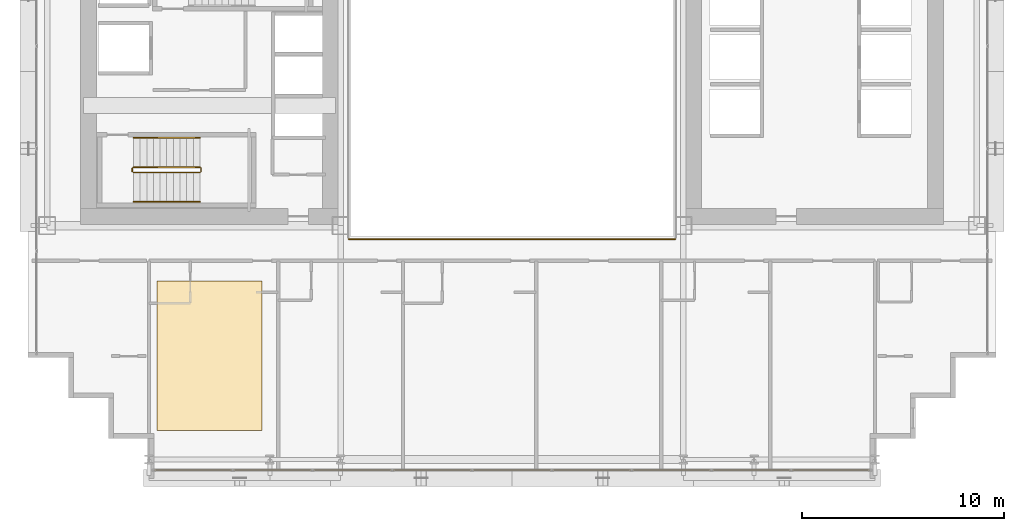
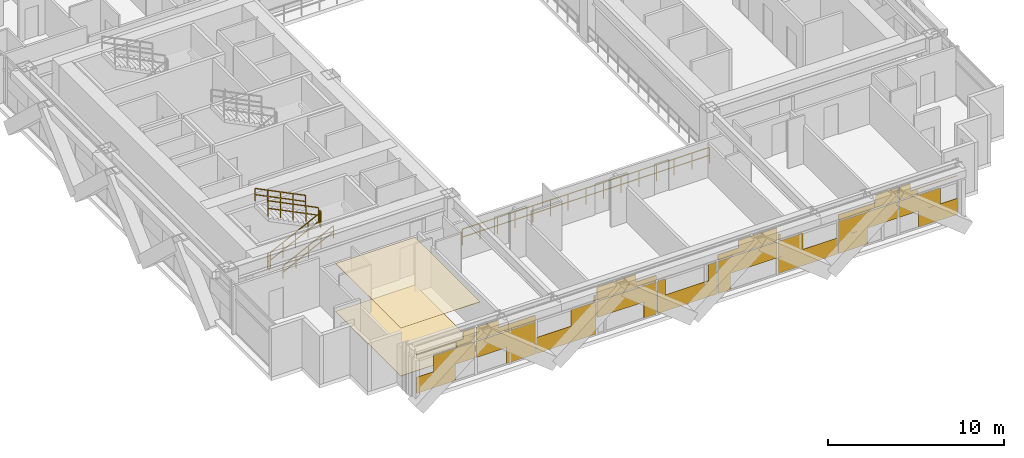
# One storey, part 32 of 35: 7 railings, 3 coverings.
"""IFC4 building model written with IfcOpenShell, lengths in metres."""

from ifc_helpers import new_model, si_unit, direction, frame, origin, origin_2d, place, context, subcontext, project, spatial, polyline, rectangle, outline, extrude, material, layer, layer_set, type_object, element, save


model = new_model("IFC4")

# Units and contexts
model_context = context("Model", 3, precision=1e-05, world=origin(), true_north=direction((0.0, 1.0)))
body_context = subcontext(model_context, "Body", "Model", "MODEL_VIEW")
ifc_project = project(units=[si_unit("LENGTHUNIT", "METRE"), si_unit("AREAUNIT", "SQUARE_METRE"), si_unit("VOLUMEUNIT", "CUBIC_METRE"), si_unit("PLANEANGLEUNIT", "RADIAN"), si_unit("MASSUNIT", "GRAM", prefix="KILO")], contexts=[model_context])

# Site, building, storey
site_placement = place(None, origin())
site = spatial("IfcSite", under=ifc_project, at=site_placement, CompositionType="ELEMENT")
building_placement = place(site_placement, origin())
building = spatial("IfcBuilding", under=site, at=building_placement, Name="Ocotamira Hotel", CompositionType="ELEMENT")
storey_placement = place(building_placement, frame((0.0, 0.0, 49.199951171875)))
storey = spatial("IfcBuildingStorey", under=building, at=storey_placement, Name="L11", CompositionType="ELEMENT", Elevation=49.199951171875)

# Coverings
ifc_material_1 = material(Name="Perforated acoustic gypsum ceiling board", Category="gypsum")
ifc_layer_1 = layer(ifc_material_1, 0.02490234375)
ifc_layer_set_1 = layer_set([ifc_layer_1], Name="Perforated acoustic gypsum ceiling board")
covering_type_1 = type_object("IfcCoveringType", Name="COV-CEIL-25", PredefinedType="CEILING", material=ifc_layer_set_1)
covering_1_placement = place(storey_placement, frame((0.0, 0.0, 3.324951171875)))
element("IfcCovering", 1, at=covering_1_placement, inside=storey, type_object=covering_type_1, Name="L11 Acoustic Ceiling", PredefinedType="CEILING", context=body_context, shape_type="SweptSolid", body=[
    extrude(outline(polyline([(14.39990234375, 4.39990234375), (19.60009765625, 4.39990234375), (19.60009765625, 11.800048828125), (14.39990234375, 11.800048828125), (14.39990234375, 4.39990234375)])), origin(), (0.0, 0.0, 1.0), 0.025146484375),
])
ifc_material_2 = material(Name="Honed desert travertine stone flooring", Category="masonry")
ifc_layer_2 = layer(ifc_material_2, 0.030029296875)
ifc_layer_set_2 = layer_set([ifc_layer_2], Name="Honed desert travertine stone flooring")
covering_type_2 = type_object("IfcCoveringType", Name="COV-FLOR-30", PredefinedType="FLOORING", material=ifc_layer_set_2)
covering_2_placement = place(storey_placement, origin())
element("IfcCovering", 2, at=covering_2_placement, inside=storey, type_object=covering_type_2, Name="L11 Honed Stone Floor Finish", PredefinedType="FLOORING", context=body_context, shape_type="SweptSolid", body=[
    extrude(outline(polyline([(14.39990234375, 4.39990234375), (19.60009765625, 4.39990234375), (19.60009765625, 11.800048828125), (14.39990234375, 11.800048828125), (14.39990234375, 4.39990234375)])), origin(), (0.0, 0.0, 1.0), 0.030029296875),
])
ifc_material_3 = material(Name="Insulated pale-metal aluminium spandrel panel", Category="aluminium")
ifc_layer_3 = layer(ifc_material_3, 0.044921875)
ifc_layer_set_3 = layer_set([ifc_layer_3], Name="Insulated pale-metal aluminium spandrel panel")
covering_type_3 = type_object("IfcCoveringType", Name="COV-INFILL-45", PredefinedType="CLADDING", material=ifc_layer_set_3)
covering_3_placement = place(storey_placement, origin())
element("IfcCovering", 3, at=covering_3_placement, inside=storey, type_object=covering_type_3, Name="L11 Curtain Wall Infill CW-2 CW-L11-S1", PredefinedType="CLADDING", context=body_context, shape_type="SweptSolid", body=[
    extrude(rectangle(XDim=2.556396484375, YDim=0.044921875, at=origin_2d()), frame((15.558837890625, 2.419921875, 0.07568359375), z_axis=(0.0, 0.0, 1.0), x_axis=(1.0, 0.0, 0.0)), (0.0, 0.0, 1.0), 1.11767578125),
    extrude(rectangle(XDim=2.7177734375, YDim=0.044921875, at=origin_2d()), frame((16.756103515625, 2.419921875, 1.1943359375), z_axis=(0.0, 0.0, 1.0), x_axis=(1.0, 0.0, 0.0)), (0.0, 0.0, 1.0), 1.117919921875),
    extrude(rectangle(XDim=3.834716796875, YDim=0.044921875, at=origin_2d()), frame((16.19775390625, 2.419921875, 2.7333984375), z_axis=(0.0, 0.0, 1.0), x_axis=(1.0, 0.0, 0.0)), (0.0, 0.0, 1.0), 0.0302734375),
    extrude(rectangle(XDim=1.2255859375, YDim=0.044921875, at=origin_2d()), frame((17.502197265625, 2.419921875, 2.38818359375), z_axis=(0.0, 0.0, 1.0), x_axis=(1.0, 0.0, 0.0)), (0.0, 0.0, 1.0), 0.344482421875),
    extrude(rectangle(XDim=0.754638671875, YDim=0.044921875, at=origin_2d()), frame((17.73779296875, 2.419921875, 2.7646484375), z_axis=(0.0, 0.0, 1.0), x_axis=(1.0, 0.0, 0.0)), (0.0, 0.0, 1.0), 0.509765625),
    extrude(rectangle(XDim=3.87451171875, YDim=0.044921875, at=origin_2d()), frame((20.13330078125, 2.419921875, 1.1943359375), z_axis=(0.0, 0.0, 1.0), x_axis=(1.0, 0.0, 0.0)), (0.0, 0.0, 1.0), 1.117919921875),
    extrude(rectangle(XDim=1.90771484375, YDim=0.044921875, at=origin_2d()), frame((21.11669921875, 2.419921875, 0.07568359375), z_axis=(0.0, 0.0, 1.0), x_axis=(1.0, 0.0, 0.0)), (0.0, 0.0, 1.0), 1.11767578125),
    extrude(rectangle(XDim=3.87451171875, YDim=0.044921875, at=origin_2d()), frame((20.13330078125, 2.419921875, 2.38818359375), z_axis=(0.0, 0.0, 1.0), x_axis=(1.0, 0.0, 0.0)), (0.0, 0.0, 1.0), 0.375732421875),
    extrude(rectangle(XDim=1.443603515625, YDim=0.044921875, at=origin_2d()), frame((18.917724609375, 2.419921875, 2.7646484375), z_axis=(0.0, 0.0, 1.0), x_axis=(1.0, 0.0, 0.0)), (0.0, 0.0, 1.0), 0.509765625),
    extrude(rectangle(XDim=3.87451171875, YDim=0.044921875, at=origin_2d()), frame((24.0888671875, 2.419921875, 0.07568359375), z_axis=(0.0, 0.0, 1.0), x_axis=(1.0, 0.0, 0.0)), (0.0, 0.0, 1.0), 1.11767578125),
    extrude(rectangle(XDim=1.62890625, YDim=0.044921875, at=origin_2d()), frame((25.2119140625, 2.419921875, 1.1943359375), z_axis=(0.0, 0.0, 1.0), x_axis=(1.0, 0.0, 0.0)), (0.0, 0.0, 1.0), 1.117919921875),
    extrude(rectangle(XDim=0.13671875, YDim=0.044921875, at=origin_2d()), frame((25.957763671875, 2.419921875, 2.38818359375), z_axis=(0.0, 0.0, 1.0), x_axis=(1.0, 0.0, 0.0)), (0.0, 0.0, 1.0), 0.375732421875),
    extrude(rectangle(XDim=3.87451171875, YDim=0.044921875, at=origin_2d()), frame((28.04443359375, 2.419921875, 1.1943359375), z_axis=(0.0, 0.0, 1.0), x_axis=(1.0, 0.0, 0.0)), (0.0, 0.0, 1.0), 1.117919921875),
    extrude(rectangle(XDim=0.81884765625, YDim=0.044921875, at=origin_2d()), frame((29.572265625, 2.419921875, 0.07568359375), z_axis=(0.0, 0.0, 1.0), x_axis=(1.0, 0.0, 0.0)), (0.0, 0.0, 1.0), 1.11767578125),
    extrude(rectangle(XDim=3.87451171875, YDim=0.044921875, at=origin_2d()), frame((28.04443359375, 2.419921875, 2.38818359375), z_axis=(0.0, 0.0, 1.0), x_axis=(1.0, 0.0, 0.0)), (0.0, 0.0, 1.0), 0.375732421875),
    extrude(rectangle(XDim=2.532470703125, YDim=0.044921875, at=origin_2d()), frame((27.373291015625, 2.419921875, 2.7646484375), z_axis=(0.0, 0.0, 1.0), x_axis=(1.0, 0.0, 0.0)), (0.0, 0.0, 1.0), 0.509765625),
    extrude(rectangle(XDim=3.87451171875, YDim=0.044921875, at=origin_2d()), frame((32.0, 2.419921875, 0.07568359375), z_axis=(0.0, 0.0, 1.0), x_axis=(1.0, 0.0, 0.0)), (0.0, 0.0, 1.0), 1.11767578125),
    extrude(rectangle(XDim=0.539794921875, YDim=0.044921875, at=origin_2d()), frame((30.332763671875, 2.419921875, 1.1943359375), z_axis=(0.0, 0.0, 1.0), x_axis=(1.0, 0.0, 0.0)), (0.0, 0.0, 1.0), 1.117919921875),
    extrude(rectangle(XDim=0.539794921875, YDim=0.044921875, at=origin_2d()), frame((33.667236328125, 2.419921875, 1.1943359375), z_axis=(0.0, 0.0, 1.0), x_axis=(1.0, 0.0, 0.0)), (0.0, 0.0, 1.0), 1.117919921875),
    extrude(rectangle(XDim=0.81884765625, YDim=0.044921875, at=origin_2d()), frame((34.427734375, 2.419921875, 0.07568359375), z_axis=(0.0, 0.0, 1.0), x_axis=(1.0, 0.0, 0.0)), (0.0, 0.0, 1.0), 1.11767578125),
    extrude(rectangle(XDim=3.87451171875, YDim=0.044921875, at=origin_2d()), frame((35.95556640625, 2.419921875, 1.1943359375), z_axis=(0.0, 0.0, 1.0), x_axis=(1.0, 0.0, 0.0)), (0.0, 0.0, 1.0), 1.117919921875),
    extrude(rectangle(XDim=3.87451171875, YDim=0.044921875, at=origin_2d()), frame((35.95556640625, 2.419921875, 2.38818359375), z_axis=(0.0, 0.0, 1.0), x_axis=(1.0, 0.0, 0.0)), (0.0, 0.0, 1.0), 0.375732421875),
    extrude(rectangle(XDim=2.532470703125, YDim=0.044921875, at=origin_2d()), frame((36.626708984375, 2.419921875, 2.7646484375), z_axis=(0.0, 0.0, 1.0), x_axis=(1.0, 0.0, 0.0)), (0.0, 0.0, 1.0), 0.509765625),
    extrude(rectangle(XDim=3.87451171875, YDim=0.044921875, at=origin_2d()), frame((39.9111328125, 2.419921875, 0.07568359375), z_axis=(0.0, 0.0, 1.0), x_axis=(1.0, 0.0, 0.0)), (0.0, 0.0, 1.0), 1.11767578125),
    extrude(rectangle(XDim=1.62890625, YDim=0.044921875, at=origin_2d()), frame((38.7880859375, 2.419921875, 1.1943359375), z_axis=(0.0, 0.0, 1.0), x_axis=(1.0, 0.0, 0.0)), (0.0, 0.0, 1.0), 1.117919921875),
    extrude(rectangle(XDim=0.13671875, YDim=0.044921875, at=origin_2d()), frame((38.042236328125, 2.419921875, 2.38818359375), z_axis=(0.0, 0.0, 1.0), x_axis=(1.0, 0.0, 0.0)), (0.0, 0.0, 1.0), 0.375732421875),
    extrude(rectangle(XDim=1.90771484375, YDim=0.044921875, at=origin_2d()), frame((42.88330078125, 2.419921875, 0.07568359375), z_axis=(0.0, 0.0, 1.0), x_axis=(1.0, 0.0, 0.0)), (0.0, 0.0, 1.0), 1.11767578125),
    extrude(rectangle(XDim=3.87451171875, YDim=0.044921875, at=origin_2d()), frame((43.86669921875, 2.419921875, 1.1943359375), z_axis=(0.0, 0.0, 1.0), x_axis=(1.0, 0.0, 0.0)), (0.0, 0.0, 1.0), 1.117919921875),
    extrude(rectangle(XDim=3.87451171875, YDim=0.044921875, at=origin_2d()), frame((43.86669921875, 2.419921875, 2.38818359375), z_axis=(0.0, 0.0, 1.0), x_axis=(1.0, 0.0, 0.0)), (0.0, 0.0, 1.0), 0.375732421875),
    extrude(rectangle(XDim=1.443603515625, YDim=0.044921875, at=origin_2d()), frame((45.082275390625, 2.419921875, 2.7646484375), z_axis=(0.0, 0.0, 1.0), x_axis=(1.0, 0.0, 0.0)), (0.0, 0.0, 1.0), 0.509765625),
    extrude(rectangle(XDim=2.7177734375, YDim=0.044921875, at=origin_2d()), frame((47.243896484375, 2.419921875, 1.1943359375), z_axis=(0.0, 0.0, 1.0), x_axis=(1.0, 0.0, 0.0)), (0.0, 0.0, 1.0), 1.117919921875),
    extrude(rectangle(XDim=2.556396484375, YDim=0.044921875, at=origin_2d()), frame((48.441162109375, 2.419921875, 0.07568359375), z_axis=(0.0, 0.0, 1.0), x_axis=(1.0, 0.0, 0.0)), (0.0, 0.0, 1.0), 1.11767578125),
    extrude(rectangle(XDim=1.2255859375, YDim=0.044921875, at=origin_2d()), frame((46.497802734375, 2.419921875, 2.38818359375), z_axis=(0.0, 0.0, 1.0), x_axis=(1.0, 0.0, 0.0)), (0.0, 0.0, 1.0), 0.344482421875),
    extrude(rectangle(XDim=3.834716796875, YDim=0.044921875, at=origin_2d()), frame((47.80224609375, 2.419921875, 2.7333984375), z_axis=(0.0, 0.0, 1.0), x_axis=(1.0, 0.0, 0.0)), (0.0, 0.0, 1.0), 0.0302734375),
    extrude(rectangle(XDim=0.754638671875, YDim=0.044921875, at=origin_2d()), frame((46.26220703125, 2.419921875, 2.7646484375), z_axis=(0.0, 0.0, 1.0), x_axis=(1.0, 0.0, 0.0)), (0.0, 0.0, 1.0), 0.509765625),
])

# Railings
ifc_material_4 = material(Name="Painted steel stair guardrail", Category="steel")
railing_type_1 = type_object("IfcRailingType", Name="RL-EDGE-1150", PredefinedType="GUARDRAIL", material=ifc_material_4)
railing_1_placement = place(storey_placement, frame((23.89990234375, 13.8798828125, 0.0)))
element("IfcRailing", 4, at=railing_1_placement, inside=storey, type_object=railing_type_1, Name="L11 Central Atrium Edge Guardrail S", PredefinedType="GUARDRAIL", context=body_context, shape_type="SweptSolid", body=[
    extrude(rectangle(XDim=0.048095703125, YDim=0.048095703125, at=origin_2d()), frame((0.0, 0.0, 1.1259765625), z_axis=(1.0, 0.0, 0.0), x_axis=(0.0, 1.0, 0.0)), (0.0, 0.0, 1.0), 16.2001953125),
    extrude(rectangle(XDim=0.048095703125, YDim=0.048095703125, at=origin_2d()), frame((0.0, 0.0, 0.574951171875), z_axis=(1.0, 0.0, 0.0), x_axis=(0.0, 1.0, 0.0)), (0.0, 0.0, 1.0), 16.2001953125),
    extrude(rectangle(XDim=0.0419921875, YDim=0.0419921875, at=origin_2d()), origin(), (0.0, 0.0, 1.0), 1.101806640625),
    extrude(rectangle(XDim=0.0419921875, YDim=0.0419921875, at=origin_2d()), frame((1.1572265625, 0.0, 0.0)), (0.0, 0.0, 1.0), 1.101806640625),
    extrude(rectangle(XDim=0.0419921875, YDim=0.0419921875, at=origin_2d()), frame((2.314208984375, 0.0, 0.0)), (0.0, 0.0, 1.0), 1.101806640625),
    extrude(rectangle(XDim=0.0419921875, YDim=0.0419921875, at=origin_2d()), frame((3.471435546875, 0.0, 0.0)), (0.0, 0.0, 1.0), 1.101806640625),
    extrude(rectangle(XDim=0.0419921875, YDim=0.0419921875, at=origin_2d()), frame((4.628662109375, 0.0, 0.0)), (0.0, 0.0, 1.0), 1.101806640625),
    extrude(rectangle(XDim=0.0419921875, YDim=0.0419921875, at=origin_2d()), frame((5.785888671875, 0.0, 0.0)), (0.0, 0.0, 1.0), 1.101806640625),
    extrude(rectangle(XDim=0.0419921875, YDim=0.0419921875, at=origin_2d()), frame((6.94287109375, 0.0, 0.0)), (0.0, 0.0, 1.0), 1.101806640625),
    extrude(rectangle(XDim=0.0419921875, YDim=0.0419921875, at=origin_2d()), frame((8.10009765625, 0.0, 0.0)), (0.0, 0.0, 1.0), 1.101806640625),
    extrude(rectangle(XDim=0.0419921875, YDim=0.0419921875, at=origin_2d()), frame((9.25732421875, 0.0, 0.0)), (0.0, 0.0, 1.0), 1.101806640625),
    extrude(rectangle(XDim=0.0419921875, YDim=0.0419921875, at=origin_2d()), frame((10.414306640625, 0.0, 0.0)), (0.0, 0.0, 1.0), 1.101806640625),
    extrude(rectangle(XDim=0.0419921875, YDim=0.0419921875, at=origin_2d()), frame((11.571533203125, 0.0, 0.0)), (0.0, 0.0, 1.0), 1.101806640625),
    extrude(rectangle(XDim=0.0419921875, YDim=0.0419921875, at=origin_2d()), frame((12.728759765625, 0.0, 0.0)), (0.0, 0.0, 1.0), 1.101806640625),
    extrude(rectangle(XDim=0.0419921875, YDim=0.0419921875, at=origin_2d()), frame((13.885986328125, 0.0, 0.0)), (0.0, 0.0, 1.0), 1.101806640625),
    extrude(rectangle(XDim=0.0419921875, YDim=0.0419921875, at=origin_2d()), frame((15.04296875, 0.0, 0.0)), (0.0, 0.0, 1.0), 1.101806640625),
    extrude(rectangle(XDim=0.0419921875, YDim=0.0419921875, at=origin_2d()), frame((16.2001953125, 0.0, 0.0)), (0.0, 0.0, 1.0), 1.101806640625),
])
ifc_material_5 = material(Name="Brushed stainless steel handrail", Category="steel")
railing_type_2 = type_object("IfcRailingType", Name="RL-HAND-900", PredefinedType="HANDRAIL", material=ifc_material_5)
railing_2_placement = place(storey_placement, frame((13.22998046875, 15.719970703125, 0.327392578125)))
element("IfcRailing", 5, at=railing_2_placement, inside=storey, type_object=railing_type_2, Name="L11 ST-1 stair handrail 1", PredefinedType="HANDRAIL", context=body_context, shape_type="SweptSolid", body=[
    extrude(rectangle(XDim=0.048095703125, YDim=0.048095703125, at=origin_2d()), frame((0.0, 0.0, 0.8759765625), z_axis=(0.895920123917, 0.0, 0.444215186098), x_axis=(0.0, 1.0, 0.0)), (0.0, 0.0, 1.0), 3.683349609375),
    extrude(rectangle(XDim=0.048095703125, YDim=0.048095703125, at=origin_2d()), frame((0.0, 0.0, 0.449951171875), z_axis=(0.895920123917, 0.0, 0.444215186098), x_axis=(0.0, 1.0, 0.0)), (0.0, 0.0, 1.0), 3.683349609375),
    extrude(rectangle(XDim=0.0419921875, YDim=0.0419921875, at=origin_2d()), origin(), (0.0, 0.0, 1.0), 0.851806640625),
    extrude(rectangle(XDim=0.0419921875, YDim=0.0419921875, at=origin_2d()), frame((0.824951171875, 0.0, 0.4091796875)), (0.0, 0.0, 1.0), 0.851806640625),
    extrude(rectangle(XDim=0.0419921875, YDim=0.0419921875, at=origin_2d()), frame((1.64990234375, 0.0, 0.818115234375)), (0.0, 0.0, 1.0), 0.851806640625),
    extrude(rectangle(XDim=0.0419921875, YDim=0.0419921875, at=origin_2d()), frame((2.47509765625, 0.0, 1.22705078125)), (0.0, 0.0, 1.0), 0.851806640625),
    extrude(rectangle(XDim=0.0419921875, YDim=0.0419921875, at=origin_2d()), frame((3.300048828125, 0.0, 1.63623046875)), (0.0, 0.0, 1.0), 0.851806640625),
])
railing_3_placement = place(storey_placement, frame((16.530029296875, 18.89990234375, 2.12744140625)))
element("IfcRailing", 6, at=railing_3_placement, inside=storey, type_object=railing_type_2, Name="L11 ST-1 stair handrail 2", PredefinedType="HANDRAIL", context=body_context, shape_type="SweptSolid", body=[
    extrude(rectangle(XDim=0.048095703125, YDim=0.048095703125, at=origin_2d()), frame((0.0, 0.0, 0.8759765625), z_axis=(-0.895920123917, 0.0, 0.444215186098), x_axis=(0.0, -1.0, 0.0)), (0.0, 0.0, 1.0), 3.683349609375),
    extrude(rectangle(XDim=0.048095703125, YDim=0.048095703125, at=origin_2d()), frame((0.0, 0.0, 0.449951171875), z_axis=(-0.895920123917, 0.0, 0.444215186098), x_axis=(0.0, -1.0, 0.0)), (0.0, 0.0, 1.0), 3.683349609375),
    extrude(rectangle(XDim=0.0419921875, YDim=0.0419921875, at=origin_2d()), origin(), (0.0, 0.0, 1.0), 0.851806640625),
    extrude(rectangle(XDim=0.0419921875, YDim=0.0419921875, at=origin_2d()), frame((-0.824951171875, 0.0, 0.4091796875)), (0.0, 0.0, 1.0), 0.851806640625),
    extrude(rectangle(XDim=0.0419921875, YDim=0.0419921875, at=origin_2d()), frame((-1.64990234375, 0.0, 0.818115234375)), (0.0, 0.0, 1.0), 0.851806640625),
    extrude(rectangle(XDim=0.0419921875, YDim=0.0419921875, at=origin_2d()), frame((-2.47509765625, 0.0, 1.22705078125)), (0.0, 0.0, 1.0), 0.851806640625),
    extrude(rectangle(XDim=0.0419921875, YDim=0.0419921875, at=origin_2d()), frame((-3.300048828125, 0.0, 1.63623046875)), (0.0, 0.0, 1.0), 0.851806640625),
])
railing_type_3 = type_object("IfcRailingType", Name="RL-STAIR-1100", PredefinedType="GUARDRAIL", material=ifc_material_4)
railing_4_placement = place(storey_placement, frame((13.22998046875, 17.179931640625, 0.16357421875)))
element("IfcRailing", 7, at=railing_4_placement, inside=storey, type_object=railing_type_3, Name="L11 ST-1 stair guard 1", PredefinedType="GUARDRAIL", context=body_context, shape_type="SweptSolid", body=[
    extrude(rectangle(XDim=0.048095703125, YDim=0.048095703125, at=origin_2d()), frame((0.0, 0.0, 1.076171875), z_axis=(0.895893744519, 0.0, 0.4442683857), x_axis=(0.0, 1.0, 0.0)), (0.0, 0.0, 1.0), 3.68359375),
    extrude(rectangle(XDim=0.048095703125, YDim=0.048095703125, at=origin_2d()), frame((0.0, 0.0, 0.550048828125), z_axis=(0.895893744519, 0.0, 0.4442683857), x_axis=(0.0, 1.0, 0.0)), (0.0, 0.0, 1.0), 3.68359375),
    extrude(rectangle(XDim=0.0419921875, YDim=0.0419921875, at=origin_2d()), origin(), (0.0, 0.0, 1.0), 1.052001953125),
    extrude(rectangle(XDim=0.0419921875, YDim=0.0419921875, at=origin_2d()), frame((0.824951171875, 0.0, 0.4091796875)), (0.0, 0.0, 1.0), 1.052001953125),
    extrude(rectangle(XDim=0.0419921875, YDim=0.0419921875, at=origin_2d()), frame((1.64990234375, 0.0, 0.818359375)), (0.0, 0.0, 1.0), 1.052001953125),
    extrude(rectangle(XDim=0.0419921875, YDim=0.0419921875, at=origin_2d()), frame((2.47509765625, 0.0, 1.227294921875)), (0.0, 0.0, 1.0), 1.052001953125),
    extrude(rectangle(XDim=0.0419921875, YDim=0.0419921875, at=origin_2d()), frame((3.300048828125, 0.0, 1.636474609375)), (0.0, 0.0, 1.0), 1.052001953125),
])
railing_5_placement = place(storey_placement, frame((16.580078125, 17.22998046875, 1.800048828125)))
element("IfcRailing", 8, at=railing_5_placement, inside=storey, type_object=railing_type_3, Name="L11 ST-1 stair guard 2", PredefinedType="GUARDRAIL", context=body_context, shape_type="SweptSolid", body=[
    extrude(rectangle(XDim=0.048095703125, YDim=0.048095703125, at=origin_2d()), frame((0.0, 0.0, 1.076171875), z_axis=(0.0, 1.0, 0.0), x_axis=(-1.0, 0.0, 0.0)), (0.0, 0.0, 1.0), 0.159912109375),
    extrude(rectangle(XDim=0.048095703125, YDim=0.048095703125, at=origin_2d()), frame((0.0, 0.0, 0.550048828125), z_axis=(0.0, 1.0, 0.0), x_axis=(-1.0, 0.0, 0.0)), (0.0, 0.0, 1.0), 0.159912109375),
    extrude(rectangle(XDim=0.0419921875, YDim=0.0419921875, at=origin_2d()), origin(), (0.0, 0.0, 1.0), 1.052001953125),
    extrude(rectangle(XDim=0.0419921875, YDim=0.0419921875, at=origin_2d()), frame((0.0, 0.159912109375, 0.0)), (0.0, 0.0, 1.0), 1.052001953125),
])
railing_6_placement = place(storey_placement, frame((16.530029296875, 17.43994140625, 1.963623046875)))
element("IfcRailing", 9, at=railing_6_placement, inside=storey, type_object=railing_type_3, Name="L11 ST-1 stair guard 3", PredefinedType="GUARDRAIL", context=body_context, shape_type="SweptSolid", body=[
    extrude(rectangle(XDim=0.048095703125, YDim=0.048095703125, at=origin_2d()), frame((0.0, 0.0, 1.076171875), z_axis=(-0.895893744519, 0.0, 0.4442683857), x_axis=(0.0, -1.0, 0.0)), (0.0, 0.0, 1.0), 3.68359375),
    extrude(rectangle(XDim=0.048095703125, YDim=0.048095703125, at=origin_2d()), frame((0.0, 0.0, 0.550048828125), z_axis=(-0.895893744519, 0.0, 0.4442683857), x_axis=(0.0, -1.0, 0.0)), (0.0, 0.0, 1.0), 3.68359375),
    extrude(rectangle(XDim=0.0419921875, YDim=0.0419921875, at=origin_2d()), origin(), (0.0, 0.0, 1.0), 1.052001953125),
    extrude(rectangle(XDim=0.0419921875, YDim=0.0419921875, at=origin_2d()), frame((-0.824951171875, 0.0, 0.4091796875)), (0.0, 0.0, 1.0), 1.052001953125),
    extrude(rectangle(XDim=0.0419921875, YDim=0.0419921875, at=origin_2d()), frame((-1.64990234375, 0.0, 0.818359375)), (0.0, 0.0, 1.0), 1.052001953125),
    extrude(rectangle(XDim=0.0419921875, YDim=0.0419921875, at=origin_2d()), frame((-2.47509765625, 0.0, 1.227294921875)), (0.0, 0.0, 1.0), 1.052001953125),
    extrude(rectangle(XDim=0.0419921875, YDim=0.0419921875, at=origin_2d()), frame((-3.300048828125, 0.0, 1.636474609375)), (0.0, 0.0, 1.0), 1.052001953125),
])
railing_7_placement = place(storey_placement, frame((13.179931640625, 17.22998046875, 0.0)))
element("IfcRailing", 10, at=railing_7_placement, inside=storey, type_object=railing_type_3, Name="L11 ST-1 stair guard 4", PredefinedType="GUARDRAIL", context=body_context, shape_type="SweptSolid", body=[
    extrude(rectangle(XDim=0.048095703125, YDim=0.048095703125, at=origin_2d()), frame((0.0, 0.0, 1.076171875), z_axis=(0.0, 1.0, 0.0), x_axis=(-1.0, 0.0, 0.0)), (0.0, 0.0, 1.0), 0.159912109375),
    extrude(rectangle(XDim=0.048095703125, YDim=0.048095703125, at=origin_2d()), frame((0.0, 0.0, 0.550048828125), z_axis=(0.0, 1.0, 0.0), x_axis=(-1.0, 0.0, 0.0)), (0.0, 0.0, 1.0), 0.159912109375),
    extrude(rectangle(XDim=0.0419921875, YDim=0.0419921875, at=origin_2d()), origin(), (0.0, 0.0, 1.0), 1.052001953125),
    extrude(rectangle(XDim=0.0419921875, YDim=0.0419921875, at=origin_2d()), frame((0.0, 0.159912109375, 0.0)), (0.0, 0.0, 1.0), 1.052001953125),
])

save(model, "model.ifc")
